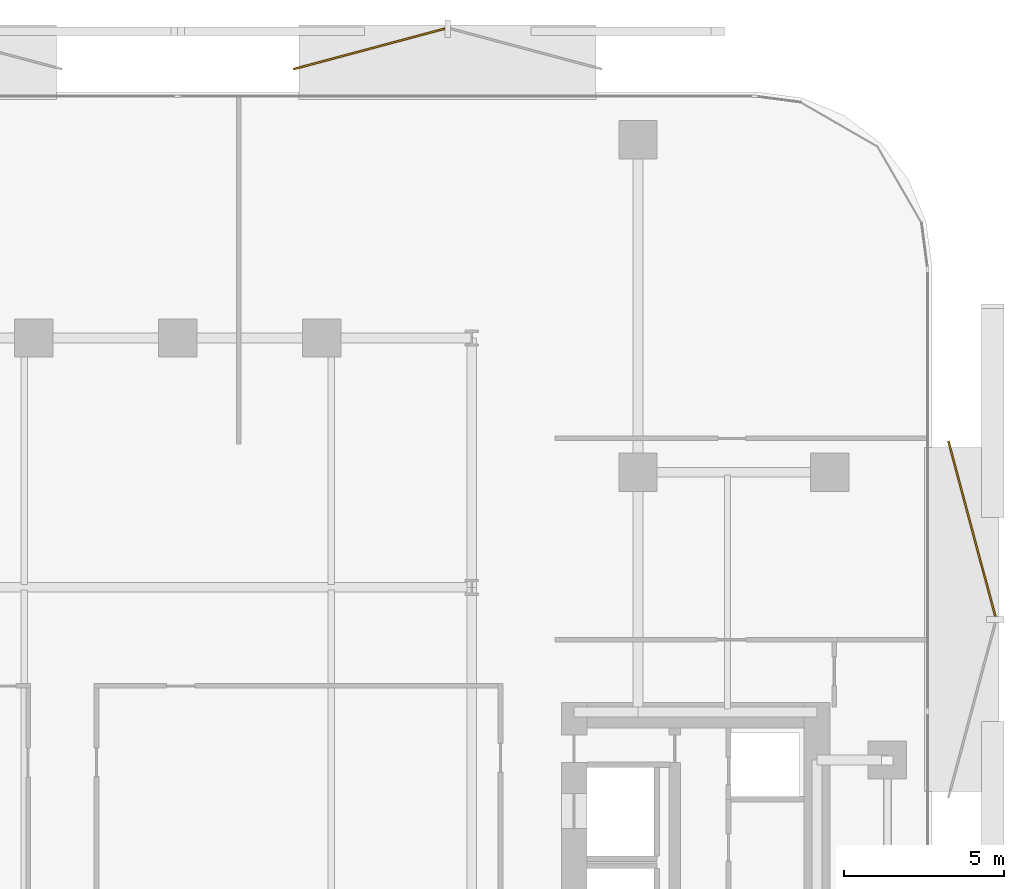
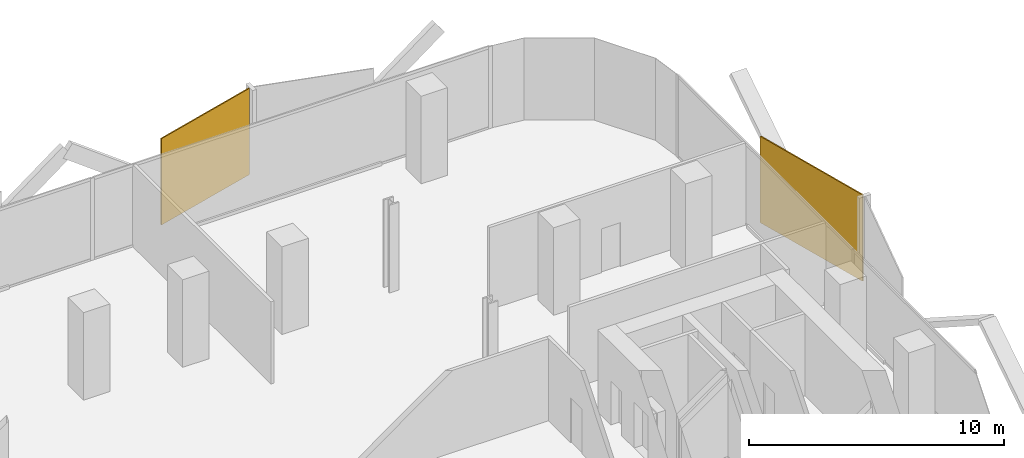
# One storey, part 15 of 15: 2 coverings.
"""IFC4 building model written with IfcOpenShell, lengths in metres."""

import ifcopenshell
import ifcopenshell.guid

model = None  # the IFC model being written
_history = None  # IfcOwnerHistory: only IFC2X3 demands one
_inside = {}  # id of a spatial element -> (the spatial element, [elements in it])
_under = {}  # id of a project, library or spatial element -> (it, [spatial elements below it])
_declared = {}  # id of a project -> (the project, [libraries it declares])
_typed = {}  # id of a type object -> (the type object, [elements of that type])
_made_of = {}  # id of a material, layer set ... -> (it, [elements and type objects made of it])


def new_model(schema):
    """Start an empty IFC model of exactly this schema.

    Asked for "IFC4X3", IfcOpenShell would pick the latest addendum, in which some entities
    have other attributes; the version numbers below select the first issue.
    IFC2X3 requires an IfcOwnerHistory on every rooted entity: one is made here for all.
    """
    global model, _history
    if schema == "IFC4X3":
        model = ifcopenshell.file(schema_version=(4, 3, 0, 0))
    else:
        model = ifcopenshell.file(schema=schema)
    _inside.clear()
    _under.clear()
    _declared.clear()
    _typed.clear()
    _made_of.clear()
    _history = None
    if model.schema == "IFC2X3":
        org = make("IfcOrganization", Name="unknown")
        user = make(
            "IfcPersonAndOrganization",
            ThePerson=make("IfcPerson", FamilyName="unknown"),
            TheOrganization=org,
        )
        app = make(
            "IfcApplication",
            ApplicationDeveloper=org,
            Version="unknown",
            ApplicationFullName="unknown",
            ApplicationIdentifier="unknown",
        )
        _history = make(
            "IfcOwnerHistory",
            OwningUser=user,
            OwningApplication=app,
            ChangeAction="ADDED",
            CreationDate=0,
        )
    return model


def make(cls, **values):
    """One entity of the class cls with the attributes given. An attribute that is None is left unset."""
    return model.create_entity(
        cls, **{name: value for name, value in values.items() if value is not None}
    )


def rooted(cls, **values):
    """An entity with a GlobalId (a new one), such as an element, a storey or a relation."""
    return make(cls, GlobalId=ifcopenshell.guid.new(), OwnerHistory=_history, **values)


def si_unit(unit_type, name, prefix=None):
    """IfcSIUnit, for example si_unit("LENGTHUNIT", "METRE", prefix="MILLI")."""
    return make("IfcSIUnit", UnitType=unit_type, Prefix=prefix, Name=name)


def assignment(units):
    """IfcUnitAssignment: the units of a project."""
    return None if units is None else make("IfcUnitAssignment", Units=units)


def point(xyz):
    """IfcCartesianPoint."""
    return None if xyz is None else make("IfcCartesianPoint", Coordinates=xyz)


def direction(xyz):
    """IfcDirection."""
    return None if xyz is None else make("IfcDirection", DirectionRatios=xyz)


def frame(location, z_axis=None, x_axis=None):
    """IfcAxis2Placement3D, a coordinate frame: its origin and axes. An axis left out is left unset."""
    return make(
        "IfcAxis2Placement3D",
        Location=point(location),
        Axis=direction(z_axis),
        RefDirection=direction(x_axis),
    )


def frame_2d(location, x_axis=None):
    """IfcAxis2Placement2D, a coordinate frame in the plane: its origin and x axis."""
    return make(
        "IfcAxis2Placement2D", Location=point(location), RefDirection=direction(x_axis)
    )


def origin():
    """The frame at (0, 0, 0) with its axes left unset."""
    return frame((0.0, 0.0, 0.0))


def origin_2d():
    """The frame at (0, 0) in the plane with its x axis left unset."""
    return frame_2d((0.0, 0.0))


def place(relative_to, where):
    """IfcLocalPlacement: puts the frame where relative to a parent placement (None: the world)."""
    return make(
        "IfcLocalPlacement", PlacementRelTo=relative_to, RelativePlacement=where
    )


def context(
    kind, dimensions, precision=None, world=None, true_north=None, identifier=None
):
    """IfcGeometricRepresentationContext, for example the 3D "Model" context."""
    return make(
        "IfcGeometricRepresentationContext",
        ContextIdentifier=identifier,
        ContextType=kind,
        CoordinateSpaceDimension=dimensions,
        Precision=precision,
        WorldCoordinateSystem=world,
        TrueNorth=true_north,
    )


def subcontext(parent, identifier, kind, view, scale=None):
    """IfcGeometricRepresentationSubContext, for example "Body" below "Model"."""
    return make(
        "IfcGeometricRepresentationSubContext",
        ContextIdentifier=identifier,
        ContextType=kind,
        ParentContext=parent,
        TargetScale=scale,
        TargetView=view,
    )


def project(units=None, contexts=None):
    """IfcProject with its units and contexts."""
    return rooted(
        "IfcProject",
        Name="project",
        RepresentationContexts=contexts,
        UnitsInContext=assignment(units),
    )


def spatial(cls, under=None, at=None, **own):
    """A site, building, storey or space (cls), placed at a placement, below another one or the project."""
    s = rooted(cls, ObjectPlacement=at, **own)
    if under is not None:
        _under.setdefault(under.id(), (under, []))[1].append(s)
    return s


def profile(cls, at=None, kind="AREA", **sizes):
    """A parametric profile (cls). Its sizes go by their IFC names, for example OverallWidth=200.0."""
    return make(cls, ProfileType=kind, Position=at, **sizes)


def rectangle(**sizes):
    """IfcRectangleProfileDef."""
    return profile("IfcRectangleProfileDef", **sizes)


def extrude(swept, where, along, depth):
    """IfcExtrudedAreaSolid: the profile swept, set in the frame where, extruded along a direction by depth."""
    return make(
        "IfcExtrudedAreaSolid",
        SweptArea=swept,
        Position=where,
        ExtrudedDirection=direction(along),
        Depth=depth,
    )


def shape(context_of_items, identifier, shape_type, items):
    """IfcShapeRepresentation: the items that make up one representation, for example the "Body"."""
    return make(
        "IfcShapeRepresentation",
        ContextOfItems=context_of_items,
        RepresentationIdentifier=identifier,
        RepresentationType=shape_type,
        Items=items,
    )


def material(Name=None, Category=None):
    """IfcMaterial."""
    return make("IfcMaterial", Name=Name, Category=Category)


def layer(
    of_material, thickness, ventilated=None, Name=None, Category=None, Priority=None
):
    """IfcMaterialLayer: one layer of a wall or slab, of a material (None: an air gap)."""
    return make(
        "IfcMaterialLayer",
        Material=of_material,
        LayerThickness=thickness,
        IsVentilated=ventilated,
        Name=Name,
        Category=Category,
        Priority=Priority,
    )


def layer_set(layers, Name=None):
    """IfcMaterialLayerSet."""
    return make("IfcMaterialLayerSet", MaterialLayers=layers, LayerSetName=Name)


def made_of(thing, what):
    """Note that an element or type object is made of a material, layer set ...; save() writes the relation."""
    if what is not None:
        _made_of.setdefault(what.id(), (what, []))[1].append(thing)
    return thing


def type_object(cls, material=None, **own):
    """A type object (cls), such as IfcWallType, which elements share."""
    return made_of(rooted(cls, **own), material)


def element(
    cls,
    number,
    at=None,
    inside=None,
    cuts=None,
    type_object=None,
    material=None,
    context=None,
    identifier="Body",
    shape_type=None,
    held_by="IfcProductDefinitionShape",
    body=None,
    shapes=None,
    **own,
):
    """One element of the class cls, such as IfcWall. Its Tag is "e" and its number.

    at: its placement. inside: the storey or other place that contains it. cuts: it is an
    opening in that element (IfcRelVoidsElement). A single representation is given by context,
    identifier, shape_type and body (its items); several are given by shapes. held_by: the class
    of the entity that holds the representations. save() writes the other relations.
    """
    e = rooted(cls, Tag="e%d" % number, ObjectPlacement=at, **own)
    if body is not None:
        shapes = [shape(context, identifier, shape_type, body)]
    if shapes is not None:
        e.Representation = make(held_by, Representations=shapes)
    if inside is not None:
        _inside.setdefault(inside.id(), (inside, []))[1].append(e)
    if cuts is not None:
        rooted(
            "IfcRelVoidsElement", RelatingBuildingElement=cuts, RelatedOpeningElement=e
        )
    if type_object is not None:
        _typed.setdefault(type_object.id(), (type_object, []))[1].append(e)
    return made_of(e, material)


def aggregate(whole, parts):
    """IfcRelAggregates: a whole, such as a stair, and the parts it consists of."""
    return rooted("IfcRelAggregates", RelatingObject=whole, RelatedObjects=parts)


def save(model, path):
    """Write the relations noted so far, then the file.

    IfcRelAggregates (storeys below a building ...), IfcRelContainedInSpatialStructure (elements
    in a storey), IfcRelDefinesByType, IfcRelAssociatesMaterial and IfcRelDeclares: one each for
    every whole, place, type object, material and project.
    """
    for whole, parts in _under.values():
        aggregate(whole, parts)
    for where, things in _inside.values():
        rooted(
            "IfcRelContainedInSpatialStructure",
            RelatedElements=things,
            RelatingStructure=where,
        )
    for kind, things in _typed.values():
        rooted("IfcRelDefinesByType", RelatedObjects=things, RelatingType=kind)
    for what, things in _made_of.values():
        rooted("IfcRelAssociatesMaterial", RelatedObjects=things, RelatingMaterial=what)
    for by, libraries in _declared.values():
        rooted("IfcRelDeclares", RelatingContext=by, RelatedDefinitions=libraries)
    model.write(path)


model = new_model("IFC4")

# Units and contexts
model_context = context("Model", 3, precision=1e-05, world=origin(), true_north=direction((0.0, 1.0)))
body_context = subcontext(model_context, "Body", "Model", "MODEL_VIEW")
ifc_project = project(units=[si_unit("LENGTHUNIT", "METRE"), si_unit("AREAUNIT", "SQUARE_METRE"), si_unit("VOLUMEUNIT", "CUBIC_METRE"), si_unit("PLANEANGLEUNIT", "RADIAN"), si_unit("MASSUNIT", "GRAM", prefix="KILO")], contexts=[model_context])

# Site, building, storey
site_placement = place(None, origin())
site = spatial("IfcSite", under=ifc_project, at=site_placement, CompositionType="ELEMENT")
building_placement = place(site_placement, origin())
building = spatial("IfcBuilding", under=site, at=building_placement, Name="Khairoan Windgate Tower", CompositionType="ELEMENT")
storey_placement = place(building_placement, frame((0.0, 0.0, 101.60009765625)))
storey = spatial("IfcBuildingStorey", under=building, at=storey_placement, Name="L23", CompositionType="ELEMENT", Elevation=101.60009765625)

# Coverings
ifc_material = material(Name="Anodised Bronze Aluminium 6063-T6", Category="aluminium")
ifc_layer = layer(ifc_material, 0.054931640625, Name="Anodised Bronze Aluminium 6063-T6")
ifc_layer_set = layer_set([ifc_layer], Name="Anodised Bronze Aluminium 6063-T6")
covering_type = type_object("IfcCoveringType", Name="Perforated Bronze-Ceramic Folded Solar Screen Cladding BSC-1", PredefinedType="CLADDING", material=ifc_layer_set)
covering_1_placement = place(storey_placement, frame((5.98974609375, 27.646240234375, -0.10009765625), z_axis=(0.0, 0.0, 1.0), x_axis=(0.965925826289, 0.258819045103, 0.0)))
element("IfcCovering", 1, at=covering_1_placement, inside=storey, type_object=covering_type, Name="L23 Folded Bronze Solar Screen Facet 134L", PredefinedType="CLADDING", context=body_context, shape_type="SweptSolid", body=[
    extrude(rectangle(XDim=4.89794921875, YDim=0.054931640625, at=origin_2d()), origin(), (0.0, 0.0, 1.0), 4.139892578125),
])
covering_2_placement = place(storey_placement, frame((24.8447265625, 12.629150390625, -0.10009765625), z_axis=(0.0, 0.0, 1.0), x_axis=(0.258819045103, -0.965925826289, 0.0)))
element("IfcCovering", 2, at=covering_2_placement, inside=storey, type_object=covering_type, Name="L23 Folded Bronze Solar Screen Facet 135L", PredefinedType="CLADDING", context=body_context, shape_type="SweptSolid", body=[
    extrude(rectangle(XDim=5.680908203125, YDim=0.054931640625, at=origin_2d()), origin(), (0.0, 0.0, 1.0), 4.139892578125),
])

save(model, "model.ifc")
